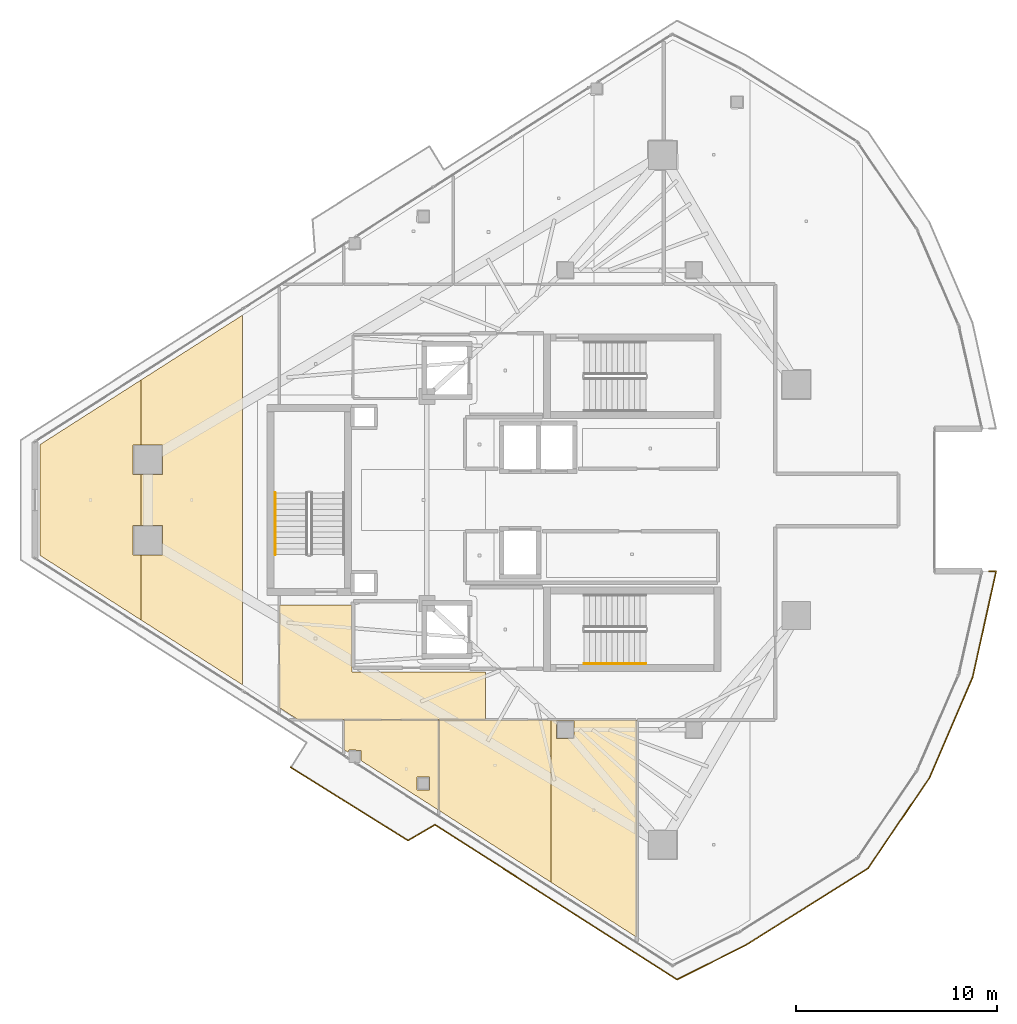
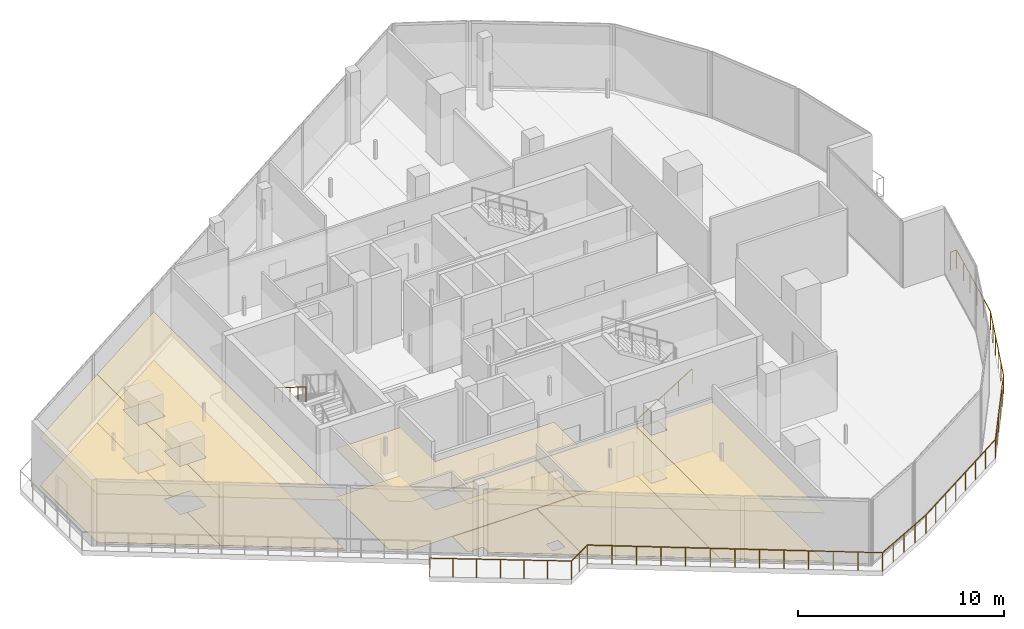
# One storey, part 23 of 27: 12 coverings, 3 railings.
"""IFC4 building model written with IfcOpenShell, lengths in metres."""

from ifc_helpers import new_model, si_unit, direction, frame, origin, origin_2d, place, context, subcontext, project, spatial, polyline, circle, outline, extrude, material, layer, layer_set, type_object, element, save


model = new_model("IFC4")

# Units and contexts
model_context = context("Model", 3, precision=1e-05, world=origin(), true_north=direction((0.0, 1.0)))
body_context = subcontext(model_context, "Body", "Model", "MODEL_VIEW")
ifc_project = project(units=[si_unit("LENGTHUNIT", "METRE"), si_unit("AREAUNIT", "SQUARE_METRE"), si_unit("VOLUMEUNIT", "CUBIC_METRE"), si_unit("PLANEANGLEUNIT", "RADIAN"), si_unit("MASSUNIT", "GRAM", prefix="KILO")], contexts=[model_context])

# Site, building, storey
site_placement = place(None, origin())
site = spatial("IfcSite", under=ifc_project, at=site_placement, CompositionType="ELEMENT")
building_placement = place(site_placement, origin())
building = spatial("IfcBuilding", under=site, at=building_placement, Name="Qorvath Tower", CompositionType="ELEMENT")
storey_placement = place(building_placement, frame((0.0, 0.0, 293.39990234375)))
storey = spatial("IfcBuildingStorey", under=building, at=storey_placement, Name="L68", CompositionType="ELEMENT", Elevation=293.39990234375)

# Coverings
ifc_material_1 = material(Name="Acoustic mineral fibre ceiling tile", Category="gypsum")
ifc_layer_1 = layer(ifc_material_1, 0.030029296875)
ifc_layer_set_1 = layer_set([ifc_layer_1], Name="COV-CEIL")
covering_type_1 = type_object("IfcCoveringType", Name="COV-CEIL", PredefinedType="CEILING", material=ifc_layer_set_1)
covering_1_placement = place(storey_placement, frame((0.0, 0.0, 2.85009765625)))
element("IfcCovering", 1, at=covering_1_placement, inside=storey, type_object=covering_type_1, Name="L68 Suspended Acoustic Ceiling 009", PredefinedType="CEILING", context=body_context, shape_type="SweptSolid", body=[
    extrude(outline(polyline([(-34.22509765625, -8.580078125), (-34.251220703125, -5.239990234375), (-37.844970703125, -5.239990234375), (-37.844970703125, -10.349853515625), (-36.91357421875, -10.945068359375), (-27.567138671875, -10.945068359375), (-27.567138671875, -8.57568359375), (-34.22509765625, -8.580078125)])), origin(), (0.0, 0.0, 1.0), 0.030029296875),
])
covering_2_placement = place(storey_placement, frame((0.0, 0.0, 2.85009765625)))
element("IfcCovering", 2, at=covering_2_placement, inside=storey, type_object=covering_type_1, Name="L68 Suspended Acoustic Ceiling 012", PredefinedType="CEILING", context=body_context, shape_type="SweptSolid", body=[
    extrude(outline(polyline([(-44.735107421875, -5.981689453125), (-44.735107421875, -2.75), (-45.14501953125, -2.75), (-45.14501953125, -1.26513671875), (-44.735107421875, -1.26513671875), (-44.735107421875, 1.26513671875), (-45.14501953125, 1.26513671875), (-45.14501953125, 2.75), (-44.735107421875, 2.75), (-44.735107421875, 5.981689453125), (-49.77490234375, 2.760498046875), (-49.77490234375, -2.760498046875), (-44.735107421875, -5.981689453125)])), origin(), (0.0, 0.0, 1.0), 0.030029296875),
])
covering_3_placement = place(storey_placement, frame((0.0, 0.0, 2.85009765625)))
element("IfcCovering", 3, at=covering_3_placement, inside=storey, type_object=covering_type_1, Name="L68 Suspended Acoustic Ceiling 013", PredefinedType="CEILING", context=body_context, shape_type="SweptSolid", body=[
    extrude(outline(polyline([(-39.695068359375, -9.202880859375), (-39.695068359375, 9.202880859375), (-44.735107421875, 5.981689453125), (-44.735107421875, 2.75), (-43.66015625, 2.75), (-43.66015625, 1.26513671875), (-44.735107421875, 1.26513671875), (-44.735107421875, -1.26513671875), (-43.66015625, -1.26513671875), (-43.66015625, -2.75), (-44.735107421875, -2.75), (-44.735107421875, -5.981689453125), (-39.695068359375, -9.202880859375)])), origin(), (0.0, 0.0, 1.0), 0.030029296875),
])
covering_4_placement = place(storey_placement, frame((0.0, 0.0, 2.85009765625)))
element("IfcCovering", 4, at=covering_4_placement, inside=storey, type_object=covering_type_1, Name="L68 Suspended Acoustic Ceiling 022", PredefinedType="CEILING", context=body_context, shape_type="SweptSolid", body=[
    extrude(outline(polyline([(-34.636962890625, -12.435791015625), (-34.439208984375, -12.56201171875), (-34.379150390625, -12.45751953125), (-33.786865234375, -12.47509765625), (-33.769287109375, -12.990234375), (-29.921875, -15.449462890625), (-29.921875, -10.962890625), (-34.636962890625, -10.962890625), (-34.636962890625, -12.435791015625)]), holes=[polyline([(-30.99462890625, -13.806884765625), (-30.35986328125, -13.806884765625), (-30.35986328125, -14.441650390625), (-30.99462890625, -14.441650390625), (-30.99462890625, -13.806884765625)])]), origin(), (0.0, 0.0, 1.0), 0.030029296875),
])
covering_5_placement = place(storey_placement, frame((0.0, 0.0, 2.85009765625)))
element("IfcCovering", 5, at=covering_5_placement, inside=storey, type_object=covering_type_1, Name="L68 Suspended Acoustic Ceiling 023", PredefinedType="CEILING", context=body_context, shape_type="SweptSolid", body=[
    extrude(outline(polyline([(-29.90380859375, -10.962890625), (-29.90380859375, -15.4609375), (-24.30859375, -19.05029296875), (-24.30859375, -10.962890625), (-29.90380859375, -10.962890625)])), origin(), (0.0, 0.0, 1.0), 0.030029296875),
])
covering_6_placement = place(storey_placement, frame((0.0, 0.0, 2.85009765625)))
element("IfcCovering", 6, at=covering_6_placement, inside=storey, type_object=covering_type_1, Name="L68 Suspended Acoustic Ceiling 024", PredefinedType="CEILING", context=body_context, shape_type="SweptSolid", body=[
    extrude(outline(polyline([(-24.30859375, -10.962890625), (-24.30859375, -19.05029296875), (-20.05419921875, -21.77978515625), (-20.052734375, -10.962890625), (-24.30859375, -10.962890625)]), holes=[polyline([(-24.04248046875, -11.892333984375), (-24.04248046875, -11.007568359375), (-23.157470703125, -11.007568359375), (-23.157470703125, -11.892333984375), (-24.04248046875, -11.892333984375)])]), origin(), (0.0, 0.0, 1.0), 0.030029296875),
])
ifc_material_2 = material(Name="Low-VOC modular carpet tile", Category="textile")
ifc_layer_2 = layer(ifc_material_2, 0.014892578125)
ifc_layer_set_2 = layer_set([ifc_layer_2], Name="COV-FLOOR-CPT")
covering_type_2 = type_object("IfcCoveringType", Name="COV-FLOOR-CPT", PredefinedType="FLOORING", material=ifc_layer_set_2)
covering_7_placement = place(storey_placement, origin())
element("IfcCovering", 7, at=covering_7_placement, inside=storey, type_object=covering_type_2, Name="L68 Floor Finish 012", PredefinedType="FLOORING", context=body_context, shape_type="SweptSolid", body=[
    extrude(outline(polyline([(-44.735107421875, -5.981689453125), (-44.735107421875, -2.75), (-45.14501953125, -2.75), (-45.14501953125, -1.26513671875), (-44.735107421875, -1.26513671875), (-44.735107421875, 1.26513671875), (-45.14501953125, 1.26513671875), (-45.14501953125, 2.75), (-44.735107421875, 2.75), (-44.735107421875, 5.981689453125), (-49.77490234375, 2.760498046875), (-49.77490234375, -2.760498046875), (-44.735107421875, -5.981689453125)])), origin(), (0.0, 0.0, 1.0), 0.01513671875),
])
covering_8_placement = place(storey_placement, origin())
element("IfcCovering", 8, at=covering_8_placement, inside=storey, type_object=covering_type_2, Name="L68 Floor Finish 013", PredefinedType="FLOORING", context=body_context, shape_type="SweptSolid", body=[
    extrude(outline(polyline([(-39.695068359375, -9.202880859375), (-39.695068359375, 9.202880859375), (-44.735107421875, 5.981689453125), (-44.735107421875, 2.75), (-43.66015625, 2.75), (-43.66015625, 1.26513671875), (-44.735107421875, 1.26513671875), (-44.735107421875, -1.26513671875), (-43.66015625, -1.26513671875), (-43.66015625, -2.75), (-44.735107421875, -2.75), (-44.735107421875, -5.981689453125), (-39.695068359375, -9.202880859375)])), origin(), (0.0, 0.0, 1.0), 0.01513671875),
])
covering_9_placement = place(storey_placement, origin())
element("IfcCovering", 9, at=covering_9_placement, inside=storey, type_object=covering_type_2, Name="L68 Floor Finish 022", PredefinedType="FLOORING", context=body_context, shape_type="SweptSolid", body=[
    extrude(outline(polyline([(-34.636962890625, -12.435791015625), (-34.439208984375, -12.56201171875), (-34.379150390625, -12.45751953125), (-33.786865234375, -12.47509765625), (-33.769287109375, -12.990234375), (-29.921875, -15.449462890625), (-29.921875, -10.962890625), (-34.636962890625, -10.962890625), (-34.636962890625, -12.435791015625)]), holes=[polyline([(-30.99462890625, -13.806884765625), (-30.35986328125, -13.806884765625), (-30.35986328125, -14.441650390625), (-30.99462890625, -14.441650390625), (-30.99462890625, -13.806884765625)])]), origin(), (0.0, 0.0, 1.0), 0.01513671875),
])
covering_10_placement = place(storey_placement, origin())
element("IfcCovering", 10, at=covering_10_placement, inside=storey, type_object=covering_type_2, Name="L68 Floor Finish 023", PredefinedType="FLOORING", context=body_context, shape_type="SweptSolid", body=[
    extrude(outline(polyline([(-29.90380859375, -10.962890625), (-29.90380859375, -15.4609375), (-24.30859375, -19.05029296875), (-24.30859375, -10.962890625), (-29.90380859375, -10.962890625)])), origin(), (0.0, 0.0, 1.0), 0.01513671875),
])
covering_11_placement = place(storey_placement, origin())
element("IfcCovering", 11, at=covering_11_placement, inside=storey, type_object=covering_type_2, Name="L68 Floor Finish 024", PredefinedType="FLOORING", context=body_context, shape_type="SweptSolid", body=[
    extrude(outline(polyline([(-24.30859375, -10.962890625), (-24.30859375, -19.05029296875), (-20.05419921875, -21.77978515625), (-20.052734375, -10.962890625), (-24.30859375, -10.962890625)]), holes=[polyline([(-24.04248046875, -11.892333984375), (-24.04248046875, -11.007568359375), (-23.157470703125, -11.007568359375), (-23.157470703125, -11.892333984375), (-24.04248046875, -11.892333984375)])]), origin(), (0.0, 0.0, 1.0), 0.01513671875),
])
ifc_material_3 = material(Name="Polished epoxy terrazzo flooring", Category="concrete")
ifc_layer_3 = layer(ifc_material_3, 0.02001953125)
ifc_layer_set_3 = layer_set([ifc_layer_3], Name="COV-FLOOR-TRZ")
covering_type_3 = type_object("IfcCoveringType", Name="COV-FLOOR-TRZ", PredefinedType="FLOORING", material=ifc_layer_set_3)
covering_12_placement = place(storey_placement, origin())
element("IfcCovering", 12, at=covering_12_placement, inside=storey, type_object=covering_type_3, Name="L68 Floor Finish 009", PredefinedType="FLOORING", context=body_context, shape_type="SweptSolid", body=[
    extrude(outline(polyline([(-34.22509765625, -8.580078125), (-34.251220703125, -5.239990234375), (-37.844970703125, -5.239990234375), (-37.844970703125, -10.349853515625), (-36.91357421875, -10.945068359375), (-27.567138671875, -10.945068359375), (-27.567138671875, -8.57568359375), (-34.22509765625, -8.580078125)])), origin(), (0.0, 0.0, 1.0), 0.01513671875),
])

# Railings
ifc_material_4 = material(Name="Laminated safety glass and stainless steel AISI 316", Category="steel")
railing_type_1 = type_object("IfcRailingType", Name="RL-EXT-GRD", PredefinedType="GUARDRAIL", material=ifc_material_4)
railing_1_placement = place(storey_placement, frame((-2.491455078125, -3.5478515625, 0.0)))
element("IfcRailing", 13, at=railing_1_placement, inside=storey, type_object=railing_type_1, Name="Loggia Perimeter Guardrail L68-1.2", PredefinedType="GUARDRAIL", context=body_context, shape_type="SweptSolid", body=[
    extrude(circle(Radius=0.02392578125, at=origin_2d()), frame((0.0, 0.0, 1.09619140625), z_axis=(1.0, 0.0, 0.0), x_axis=(0.0, 1.0, 0.0)), (0.0, 0.0, 1.0), 0.354248046875),
    extrude(circle(Radius=0.02392578125, at=origin_2d()), frame((0.354248046875, 0.0, 1.09619140625), z_axis=(-0.216107220828, -0.976369637538, 0.0), x_axis=(0.976369637538, -0.216107220828, 0.0)), (0.0, 0.0, 1.0), 5.432861328125),
    extrude(circle(Radius=0.02392578125, at=origin_2d()), frame((-0.81982421875, -5.304443359375, 1.09619140625), z_axis=(-0.395453611434, -0.918485950466, 0.0), x_axis=(0.918485950466, -0.395453611434, 0.0)), (0.0, 0.0, 1.0), 5.432861328125),
    extrude(circle(Radius=0.02392578125, at=origin_2d()), frame((-2.96826171875, -10.29443359375, 1.09619140625), z_axis=(-0.560845164157, -0.827920709876, 0.0), x_axis=(0.827920709876, -0.560845164157, 0.0)), (0.0, 0.0, 1.0), 5.4326171875),
    extrude(circle(Radius=0.02392578125, at=origin_2d()), frame((-6.01513671875, -14.792236328125, 1.09619140625), z_axis=(-0.846495141698, -0.532396445407, 0.0), x_axis=(0.532396445407, -0.846495141698, 0.0)), (0.0, 0.0, 1.0), 7.224853515625),
    extrude(circle(Radius=0.02392578125, at=origin_2d()), frame((-12.130859375, -18.638671875, 1.09619140625), z_axis=(-0.894414395921, -0.447239184742, 0.0), x_axis=(0.447239184742, -0.894414395921, 0.0)), (0.0, 0.0, 1.0), 3.816162109375),
    extrude(circle(Radius=0.02392578125, at=origin_2d()), frame((-15.544189453125, -20.345458984375, 1.09619140625), z_axis=(-0.842594186465, 0.538549010709, 0.0), x_axis=(-0.538549010709, -0.842594186465, 0.0)), (0.0, 0.0, 1.0), 14.3203125),
    extrude(circle(Radius=0.02392578125, at=origin_2d()), frame((-27.6103515625, -12.63330078125, 1.09619140625), z_axis=(-0.863241941474, -0.504790402524, 0.0), x_axis=(0.504790402524, -0.863241941474, 0.0)), (0.0, 0.0, 1.0), 1.551513671875),
    extrude(circle(Radius=0.02392578125, at=origin_2d()), frame((-28.94970703125, -13.41650390625, 1.09619140625), z_axis=(-0.848058037451, 0.529903354505, 0.0), x_axis=(-0.529903354505, -0.848058037451, 0.0)), (0.0, 0.0, 1.0), 6.887939453125),
    extrude(circle(Radius=0.02099609375, at=origin_2d()), origin(), (0.0, 0.0, 1.0), 1.072021484375),
    extrude(circle(Radius=0.02099609375, at=origin_2d()), frame((0.354248046875, 0.0, 0.0)), (0.0, 0.0, 1.0), 1.072021484375),
    extrude(circle(Radius=0.02099609375, at=origin_2d()), frame((0.119384765625, -1.060791015625, 0.0)), (0.0, 0.0, 1.0), 1.072021484375),
    extrude(circle(Radius=0.02099609375, at=origin_2d()), frame((-0.115478515625, -2.121826171875, 0.0)), (0.0, 0.0, 1.0), 1.072021484375),
    extrude(circle(Radius=0.02099609375, at=origin_2d()), frame((-0.35009765625, -3.1826171875, 0.0)), (0.0, 0.0, 1.0), 1.072021484375),
    extrude(circle(Radius=0.02099609375, at=origin_2d()), frame((-0.5849609375, -4.24365234375, 0.0)), (0.0, 0.0, 1.0), 1.072021484375),
    extrude(circle(Radius=0.02099609375, at=origin_2d()), frame((-0.81982421875, -5.304443359375, 0.0)), (0.0, 0.0, 1.0), 1.072021484375),
    extrude(circle(Radius=0.02099609375, at=origin_2d()), frame((-1.24951171875, -6.302490234375, 0.0)), (0.0, 0.0, 1.0), 1.072021484375),
    extrude(circle(Radius=0.02099609375, at=origin_2d()), frame((-1.67919921875, -7.300537109375, 0.0)), (0.0, 0.0, 1.0), 1.072021484375),
    extrude(circle(Radius=0.02099609375, at=origin_2d()), frame((-2.10888671875, -8.29833984375, 0.0)), (0.0, 0.0, 1.0), 1.072021484375),
    extrude(circle(Radius=0.02099609375, at=origin_2d()), frame((-2.53857421875, -9.29638671875, 0.0)), (0.0, 0.0, 1.0), 1.072021484375),
    extrude(circle(Radius=0.02099609375, at=origin_2d()), frame((-2.96826171875, -10.29443359375, 0.0)), (0.0, 0.0, 1.0), 1.072021484375),
    extrude(circle(Radius=0.02099609375, at=origin_2d()), frame((-3.57763671875, -11.194091796875, 0.0)), (0.0, 0.0, 1.0), 1.072021484375),
    extrude(circle(Radius=0.02099609375, at=origin_2d()), frame((-4.18701171875, -12.093505859375, 0.0)), (0.0, 0.0, 1.0), 1.072021484375),
    extrude(circle(Radius=0.02099609375, at=origin_2d()), frame((-4.79638671875, -12.9931640625, 0.0)), (0.0, 0.0, 1.0), 1.072021484375),
    extrude(circle(Radius=0.02099609375, at=origin_2d()), frame((-5.40576171875, -13.892578125, 0.0)), (0.0, 0.0, 1.0), 1.072021484375),
    extrude(circle(Radius=0.02099609375, at=origin_2d()), frame((-6.01513671875, -14.792236328125, 0.0)), (0.0, 0.0, 1.0), 1.072021484375),
    extrude(circle(Radius=0.02099609375, at=origin_2d()), frame((-6.888916015625, -15.341796875, 0.0)), (0.0, 0.0, 1.0), 1.072021484375),
    extrude(circle(Radius=0.02099609375, at=origin_2d()), frame((-7.762451171875, -15.89111328125, 0.0)), (0.0, 0.0, 1.0), 1.072021484375),
    extrude(circle(Radius=0.02099609375, at=origin_2d()), frame((-8.63623046875, -16.440673828125, 0.0)), (0.0, 0.0, 1.0), 1.072021484375),
    extrude(circle(Radius=0.02099609375, at=origin_2d()), frame((-9.509765625, -16.990234375, 0.0)), (0.0, 0.0, 1.0), 1.072021484375),
    extrude(circle(Radius=0.02099609375, at=origin_2d()), frame((-10.383544921875, -17.539794921875, 0.0)), (0.0, 0.0, 1.0), 1.072021484375),
    extrude(circle(Radius=0.02099609375, at=origin_2d()), frame((-11.257080078125, -18.089111328125, 0.0)), (0.0, 0.0, 1.0), 1.072021484375),
    extrude(circle(Radius=0.02099609375, at=origin_2d()), frame((-12.130859375, -18.638671875, 0.0)), (0.0, 0.0, 1.0), 1.072021484375),
    extrude(circle(Radius=0.02099609375, at=origin_2d()), frame((-12.984130859375, -19.0654296875, 0.0)), (0.0, 0.0, 1.0), 1.072021484375),
    extrude(circle(Radius=0.02099609375, at=origin_2d()), frame((-13.83740234375, -19.4921875, 0.0)), (0.0, 0.0, 1.0), 1.072021484375),
    extrude(circle(Radius=0.02099609375, at=origin_2d()), frame((-14.69091796875, -19.918701171875, 0.0)), (0.0, 0.0, 1.0), 1.072021484375),
    extrude(circle(Radius=0.02099609375, at=origin_2d()), frame((-15.544189453125, -20.345458984375, 0.0)), (0.0, 0.0, 1.0), 1.072021484375),
    extrude(circle(Radius=0.02099609375, at=origin_2d()), frame((-16.5498046875, -19.702880859375, 0.0)), (0.0, 0.0, 1.0), 1.072021484375),
    extrude(circle(Radius=0.02099609375, at=origin_2d()), frame((-17.55517578125, -19.06005859375, 0.0)), (0.0, 0.0, 1.0), 1.072021484375),
    extrude(circle(Radius=0.02099609375, at=origin_2d()), frame((-18.560791015625, -18.41748046875, 0.0)), (0.0, 0.0, 1.0), 1.072021484375),
    extrude(circle(Radius=0.02099609375, at=origin_2d()), frame((-19.566162109375, -17.774658203125, 0.0)), (0.0, 0.0, 1.0), 1.072021484375),
    extrude(circle(Radius=0.02099609375, at=origin_2d()), frame((-20.57177734375, -17.132080078125, 0.0)), (0.0, 0.0, 1.0), 1.072021484375),
    extrude(circle(Radius=0.02099609375, at=origin_2d()), frame((-21.5771484375, -16.4892578125, 0.0)), (0.0, 0.0, 1.0), 1.072021484375),
    extrude(circle(Radius=0.02099609375, at=origin_2d()), frame((-22.582763671875, -15.8466796875, 0.0)), (0.0, 0.0, 1.0), 1.072021484375),
    extrude(circle(Radius=0.02099609375, at=origin_2d()), frame((-23.58837890625, -15.2041015625, 0.0)), (0.0, 0.0, 1.0), 1.072021484375),
    extrude(circle(Radius=0.02099609375, at=origin_2d()), frame((-24.59375, -14.561279296875, 0.0)), (0.0, 0.0, 1.0), 1.072021484375),
    extrude(circle(Radius=0.02099609375, at=origin_2d()), frame((-25.599365234375, -13.918701171875, 0.0)), (0.0, 0.0, 1.0), 1.072021484375),
    extrude(circle(Radius=0.02099609375, at=origin_2d()), frame((-26.604736328125, -13.27587890625, 0.0)), (0.0, 0.0, 1.0), 1.072021484375),
    extrude(circle(Radius=0.02099609375, at=origin_2d()), frame((-27.6103515625, -12.63330078125, 0.0)), (0.0, 0.0, 1.0), 1.072021484375),
    extrude(circle(Radius=0.02099609375, at=origin_2d()), frame((-28.280029296875, -13.02490234375, 0.0)), (0.0, 0.0, 1.0), 1.072021484375),
    extrude(circle(Radius=0.02099609375, at=origin_2d()), frame((-28.94970703125, -13.41650390625, 0.0)), (0.0, 0.0, 1.0), 1.072021484375),
    extrude(circle(Radius=0.02099609375, at=origin_2d()), frame((-29.92333984375, -12.80810546875, 0.0)), (0.0, 0.0, 1.0), 1.072021484375),
    extrude(circle(Radius=0.02099609375, at=origin_2d()), frame((-30.896728515625, -12.199951171875, 0.0)), (0.0, 0.0, 1.0), 1.072021484375),
    extrude(circle(Radius=0.02099609375, at=origin_2d()), frame((-31.870361328125, -11.591552734375, 0.0)), (0.0, 0.0, 1.0), 1.072021484375),
    extrude(circle(Radius=0.02099609375, at=origin_2d()), frame((-32.843994140625, -10.983154296875, 0.0)), (0.0, 0.0, 1.0), 1.072021484375),
    extrude(circle(Radius=0.02099609375, at=origin_2d()), frame((-33.8173828125, -10.375, 0.0)), (0.0, 0.0, 1.0), 1.072021484375),
    extrude(circle(Radius=0.02099609375, at=origin_2d()), frame((-34.791015625, -9.7666015625, 0.0)), (0.0, 0.0, 1.0), 1.072021484375),
])
ifc_material_5 = material(Name="Brushed stainless steel AISI 304", Category="steel")
railing_type_2 = type_object("IfcRailingType", Name="RL-STR-HND", PredefinedType="HANDRAIL", material=ifc_material_5)
railing_2_placement = place(storey_placement, frame((-22.669921875, -8.14990234375, 0.175048828125)))
element("IfcRailing", 14, at=railing_2_placement, inside=storey, type_object=railing_type_2, Name="L68 TS2 stair handrail 1", PredefinedType="HANDRAIL", context=body_context, shape_type="SweptSolid", body=[
    extrude(circle(Radius=0.02392578125, at=origin_2d()), frame((0.0, 0.0, 0.8759765625), z_axis=(0.847979421464, 0.0, 0.530029150871), x_axis=(0.0, 1.0, 0.0)), (0.0, 0.0, 1.0), 3.632080078125),
    extrude(circle(Radius=0.02099609375, at=origin_2d()), origin(), (0.0, 0.0, 1.0), 0.851806640625),
    extrude(circle(Radius=0.02099609375, at=origin_2d()), frame((0.77001953125, 0.0, 0.481201171875)), (0.0, 0.0, 1.0), 0.851806640625),
    extrude(circle(Radius=0.02099609375, at=origin_2d()), frame((1.5400390625, 0.0, 0.96240234375)), (0.0, 0.0, 1.0), 0.851806640625),
    extrude(circle(Radius=0.02099609375, at=origin_2d()), frame((2.309814453125, 0.0, 1.44384765625)), (0.0, 0.0, 1.0), 0.851806640625),
    extrude(circle(Radius=0.02099609375, at=origin_2d()), frame((3.079833984375, 0.0, 1.925048828125)), (0.0, 0.0, 1.0), 0.851806640625),
])
railing_3_placement = place(storey_placement, frame((-38.06005859375, 0.360107421875, 2.275146484375)))
element("IfcRailing", 15, at=railing_3_placement, inside=storey, type_object=railing_type_2, Name="L68 TS3 stair handrail 2", PredefinedType="HANDRAIL", context=body_context, shape_type="SweptSolid", body=[
    extrude(circle(Radius=0.02392578125, at=origin_2d()), frame((0.0, 0.0, 0.8759765625), z_axis=(0.0, -0.847998304005, 0.529998940003), x_axis=(1.0, 0.0, 0.0)), (0.0, 0.0, 1.0), 3.632080078125),
    extrude(circle(Radius=0.02099609375, at=origin_2d()), origin(), (0.0, 0.0, 1.0), 0.851806640625),
    extrude(circle(Radius=0.02099609375, at=origin_2d()), frame((0.0, -0.77001953125, 0.481201171875)), (0.0, 0.0, 1.0), 0.851806640625),
    extrude(circle(Radius=0.02099609375, at=origin_2d()), frame((0.0, -1.5400390625, 0.96240234375)), (0.0, 0.0, 1.0), 0.851806640625),
    extrude(circle(Radius=0.02099609375, at=origin_2d()), frame((0.0, -2.31005859375, 1.44384765625)), (0.0, 0.0, 1.0), 0.851806640625),
    extrude(circle(Radius=0.02099609375, at=origin_2d()), frame((0.0, -3.080078125, 1.925048828125)), (0.0, 0.0, 1.0), 0.851806640625),
])

save(model, "model.ifc")
